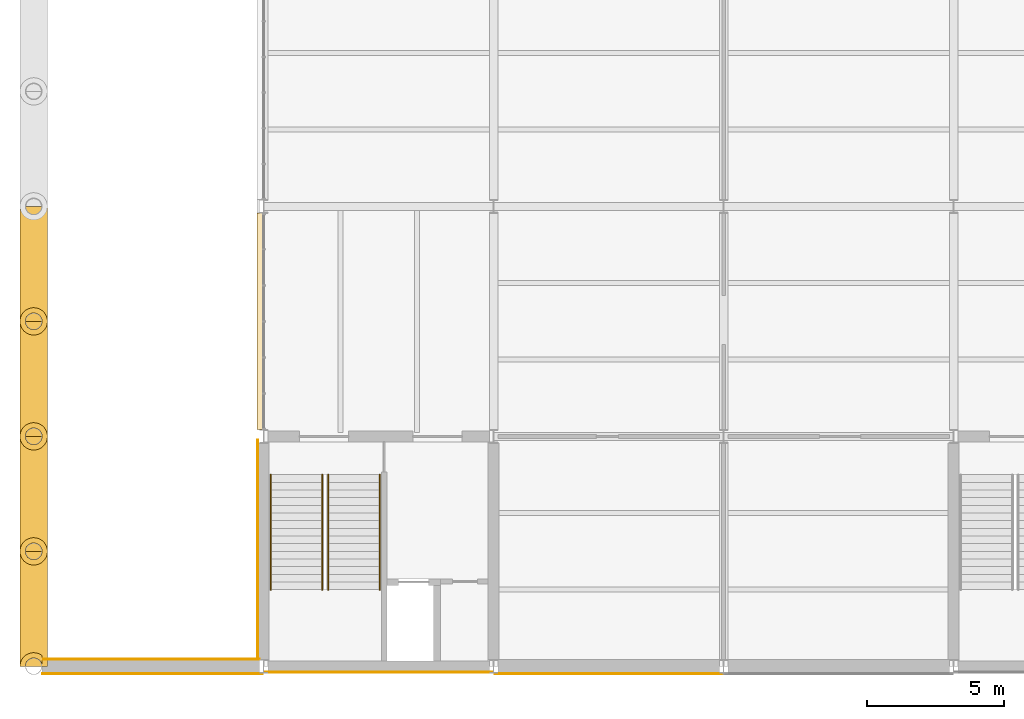
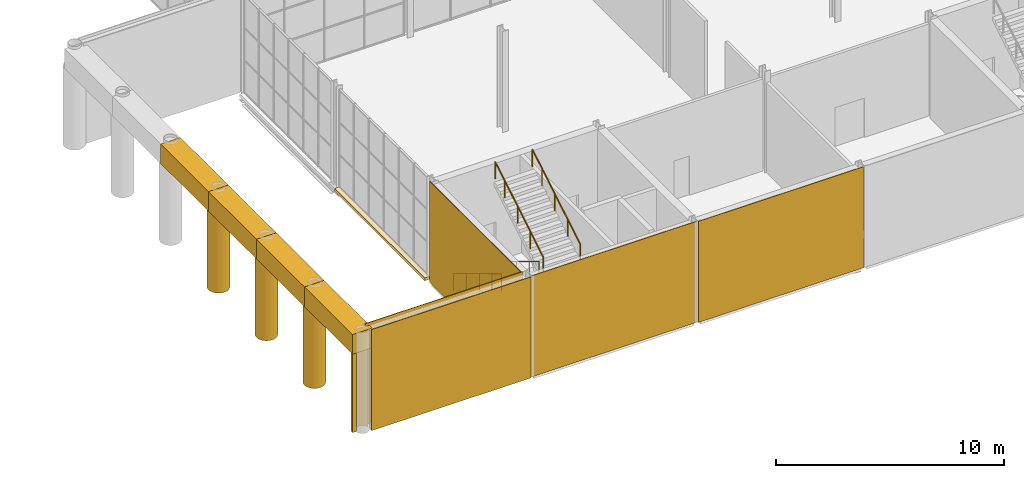
# One storey, part 47 of 64: 14 coverings, 4 railings.
"""IFC4 building model written with IfcOpenShell, lengths in metres."""

from ifc_helpers import new_model, si_unit, direction, frame, origin, origin_2d, place, context, subcontext, project, spatial, polyline, rectangle, circle, outline, extrude, material, layer, layer_set, type_object, element, save


model = new_model("IFC4")

# Units and contexts
model_context = context("Model", 3, precision=1e-05, world=origin(), true_north=direction((0.0, 1.0)))
body_context = subcontext(model_context, "Body", "Model", "MODEL_VIEW")
ifc_project = project(units=[si_unit("LENGTHUNIT", "METRE"), si_unit("AREAUNIT", "SQUARE_METRE"), si_unit("VOLUMEUNIT", "CUBIC_METRE"), si_unit("PLANEANGLEUNIT", "RADIAN"), si_unit("MASSUNIT", "GRAM", prefix="KILO")], contexts=[model_context])

# Site, building, storey
site_placement = place(None, origin())
site = spatial("IfcSite", under=ifc_project, at=site_placement, CompositionType="ELEMENT")
building_placement = place(site_placement, origin())
building = spatial("IfcBuilding", under=site, at=building_placement, Name="Galleria Vessillo Department Store", CompositionType="ELEMENT")
storey_placement = place(building_placement, frame((0.0, 0.0, 6.0)))
storey = spatial("IfcBuildingStorey", under=building, at=storey_placement, Name="L01", CompositionType="ELEMENT", Elevation=6.0)

# Coverings
ifc_material_1 = material(Name="Lime plaster (intonaco) ochre")
ifc_layer_1 = layer(ifc_material_1, 0.030029296875)
ifc_layer_set_1 = layer_set([ifc_layer_1], Name="Lime plaster (intonaco) ochre")
covering_type_1 = type_object("IfcCoveringType", Name="Lime plaster render 30 mm", PredefinedType="CLADDING", material=ifc_layer_set_1)
covering_1_placement = place(storey_placement, frame((4.33740234375, -0.264892578125, 0.0), z_axis=(0.0, 0.0, 1.0), x_axis=(1.0, 0.0, 0.0)))
element("IfcCovering", 1, at=covering_1_placement, inside=storey, type_object=covering_type_1, Name="Wall cladding S-PS-L01-01", PredefinedType="CLADDING", context=body_context, shape_type="SweptSolid", body=[
    extrude(rectangle(XDim=8.065185546875, YDim=0.030029296875, at=origin_2d()), origin(), (0.0, 0.0, 1.0), 5.39990234375),
])
for number, where, z_axis, x_axis, name in (
    (2, (12.599853515625, -0.215087890625, 0.0), (0.0, 0.0, 1.0), (1.0, 0.0, 0.0), "Wall cladding S-CW-PC-SW-PARTY-L01"),
    (3, (21.0, -0.264892578125, 0.0), (0.0, 0.0, 1.0), (1.0, 0.0, 0.0), "Wall cladding S-PS-L01-02"),
):
    element("IfcCovering", number, at=place(storey_placement, frame(where, z_axis=z_axis, x_axis=x_axis)), inside=storey, type_object=covering_type_1, Name=name, PredefinedType="CLADDING", context=body_context, shape_type="SweptSolid", body=[
        extrude(rectangle(XDim=8.340087890625, YDim=0.030029296875, at=origin_2d()), origin(), (0.0, 0.0, 1.0), 5.39990234375),
    ])
ifc_material_2 = material(Name="Botticino limestone ashlar", Category="masonry")
ifc_layer_2 = layer(ifc_material_2, 0.195068359375)
ifc_layer_set_2 = layer_set([ifc_layer_2], Name="Botticino limestone ashlar")
covering_type_2 = type_object("IfcCoveringType", Name="Limestone column drum cladding 1000 mm", PredefinedType="CLADDING", material=ifc_layer_set_2)
covering_2_placement = place(storey_placement, origin())
element("IfcCovering", 4, at=covering_2_placement, inside=storey, type_object=covering_type_2, Name="Column drum cladding L01 y=4.2", PredefinedType="CLADDING", context=body_context, shape_type="SweptSolid", body=[
    extrude(outline(polyline([(0.5, 4.199951171875), (0.49560546875, 4.26513671875), (0.48291015625, 4.329345703125), (0.4619140625, 4.391357421875), (0.43310546875, 4.449951171875), (0.396728515625, 4.50439453125), (0.353515625, 4.553466796875), (0.304443359375, 4.5966796875), (0.25, 4.633056640625), (0.19140625, 4.661865234375), (0.12939453125, 4.682861328125), (0.065185546875, 4.695556640625), (0.0, 4.699951171875), (-0.065185546875, 4.695556640625), (-0.12939453125, 4.682861328125), (-0.19140625, 4.661865234375), (-0.25, 4.633056640625), (-0.304443359375, 4.5966796875), (-0.353515625, 4.553466796875), (-0.396728515625, 4.50439453125), (-0.43310546875, 4.449951171875), (-0.4619140625, 4.391357421875), (-0.48291015625, 4.329345703125), (-0.49560546875, 4.26513671875), (-0.5, 4.199951171875), (-0.49560546875, 4.134765625), (-0.48291015625, 4.070556640625), (-0.4619140625, 4.008544921875), (-0.43310546875, 3.949951171875), (-0.396728515625, 3.8955078125), (-0.353515625, 3.846435546875), (-0.304443359375, 3.80322265625), (-0.25, 3.766845703125), (-0.19140625, 3.738037109375), (-0.12939453125, 3.717041015625), (-0.065185546875, 3.704345703125), (0.0, 3.699951171875), (0.065185546875, 3.704345703125), (0.12939453125, 3.717041015625), (0.19140625, 3.738037109375), (0.25, 3.766845703125), (0.304443359375, 3.80322265625), (0.353515625, 3.846435546875), (0.396728515625, 3.8955078125), (0.43310546875, 3.949951171875), (0.4619140625, 4.008544921875), (0.48291015625, 4.070556640625), (0.49560546875, 4.134765625), (0.5, 4.199951171875)]), holes=[polyline([(0.3056640625, 4.199951171875), (0.302978515625, 4.23974609375), (0.295166015625, 4.279052734375), (0.282470703125, 4.31689453125), (0.2646484375, 4.352783203125), (0.242431640625, 4.385986328125), (0.216064453125, 4.416015625), (0.18603515625, 4.4423828125), (0.15283203125, 4.464599609375), (0.116943359375, 4.482421875), (0.0791015625, 4.4951171875), (0.039794921875, 4.5029296875), (0.0, 4.505615234375), (-0.039794921875, 4.5029296875), (-0.0791015625, 4.4951171875), (-0.116943359375, 4.482421875), (-0.15283203125, 4.464599609375), (-0.18603515625, 4.4423828125), (-0.216064453125, 4.416015625), (-0.242431640625, 4.385986328125), (-0.2646484375, 4.352783203125), (-0.282470703125, 4.31689453125), (-0.295166015625, 4.279052734375), (-0.302978515625, 4.23974609375), (-0.3056640625, 4.199951171875), (-0.302978515625, 4.16015625), (-0.295166015625, 4.120849609375), (-0.282470703125, 4.0830078125), (-0.2646484375, 4.047119140625), (-0.242431640625, 4.013916015625), (-0.216064453125, 3.98388671875), (-0.18603515625, 3.95751953125), (-0.15283203125, 3.935302734375), (-0.116943359375, 3.91748046875), (-0.0791015625, 3.90478515625), (-0.039794921875, 3.89697265625), (0.0, 3.894287109375), (0.039794921875, 3.89697265625), (0.0791015625, 3.90478515625), (0.116943359375, 3.91748046875), (0.15283203125, 3.935302734375), (0.18603515625, 3.95751953125), (0.216064453125, 3.98388671875), (0.242431640625, 4.013916015625), (0.2646484375, 4.047119140625), (0.282470703125, 4.0830078125), (0.295166015625, 4.120849609375), (0.302978515625, 4.16015625), (0.3056640625, 4.199951171875)])]), origin(), (0.0, 0.0, 1.0), 4.199951171875),
])
covering_3_placement = place(storey_placement, origin())
element("IfcCovering", 5, at=covering_3_placement, inside=storey, type_object=covering_type_2, Name="Column drum cladding L01 y=8.4", PredefinedType="CLADDING", context=body_context, shape_type="SweptSolid", body=[
    extrude(outline(polyline([(0.5, 8.39990234375), (0.49560546875, 8.465087890625), (0.48291015625, 8.529296875), (0.4619140625, 8.59130859375), (0.43310546875, 8.64990234375), (0.396728515625, 8.704345703125), (0.353515625, 8.75341796875), (0.304443359375, 8.796630859375), (0.25, 8.8330078125), (0.19140625, 8.86181640625), (0.12939453125, 8.8828125), (0.065185546875, 8.8955078125), (0.0, 8.89990234375), (-0.065185546875, 8.8955078125), (-0.12939453125, 8.8828125), (-0.19140625, 8.86181640625), (-0.25, 8.8330078125), (-0.304443359375, 8.796630859375), (-0.353515625, 8.75341796875), (-0.396728515625, 8.704345703125), (-0.43310546875, 8.64990234375), (-0.4619140625, 8.59130859375), (-0.48291015625, 8.529296875), (-0.49560546875, 8.465087890625), (-0.5, 8.39990234375), (-0.49560546875, 8.334716796875), (-0.48291015625, 8.2705078125), (-0.4619140625, 8.20849609375), (-0.43310546875, 8.14990234375), (-0.396728515625, 8.095458984375), (-0.353515625, 8.04638671875), (-0.304443359375, 8.003173828125), (-0.25, 7.966796875), (-0.19140625, 7.93798828125), (-0.12939453125, 7.9169921875), (-0.065185546875, 7.904296875), (0.0, 7.89990234375), (0.065185546875, 7.904296875), (0.12939453125, 7.9169921875), (0.19140625, 7.93798828125), (0.25, 7.966796875), (0.304443359375, 8.003173828125), (0.353515625, 8.04638671875), (0.396728515625, 8.095458984375), (0.43310546875, 8.14990234375), (0.4619140625, 8.20849609375), (0.48291015625, 8.2705078125), (0.49560546875, 8.334716796875), (0.5, 8.39990234375)]), holes=[polyline([(0.3056640625, 8.39990234375), (0.302978515625, 8.439697265625), (0.295166015625, 8.47900390625), (0.282470703125, 8.516845703125), (0.2646484375, 8.552734375), (0.242431640625, 8.5859375), (0.216064453125, 8.615966796875), (0.18603515625, 8.642333984375), (0.15283203125, 8.66455078125), (0.116943359375, 8.682373046875), (0.0791015625, 8.695068359375), (0.039794921875, 8.702880859375), (0.0, 8.70556640625), (-0.039794921875, 8.702880859375), (-0.0791015625, 8.695068359375), (-0.116943359375, 8.682373046875), (-0.15283203125, 8.66455078125), (-0.18603515625, 8.642333984375), (-0.216064453125, 8.615966796875), (-0.242431640625, 8.5859375), (-0.2646484375, 8.552734375), (-0.282470703125, 8.516845703125), (-0.295166015625, 8.47900390625), (-0.302978515625, 8.439697265625), (-0.3056640625, 8.39990234375), (-0.302978515625, 8.360107421875), (-0.295166015625, 8.32080078125), (-0.282470703125, 8.282958984375), (-0.2646484375, 8.2470703125), (-0.242431640625, 8.2138671875), (-0.216064453125, 8.183837890625), (-0.18603515625, 8.157470703125), (-0.15283203125, 8.13525390625), (-0.116943359375, 8.117431640625), (-0.0791015625, 8.104736328125), (-0.039794921875, 8.096923828125), (0.0, 8.09423828125), (0.039794921875, 8.096923828125), (0.0791015625, 8.104736328125), (0.116943359375, 8.117431640625), (0.15283203125, 8.13525390625), (0.18603515625, 8.157470703125), (0.216064453125, 8.183837890625), (0.242431640625, 8.2138671875), (0.2646484375, 8.2470703125), (0.282470703125, 8.282958984375), (0.295166015625, 8.32080078125), (0.302978515625, 8.360107421875), (0.3056640625, 8.39990234375)])]), origin(), (0.0, 0.0, 1.0), 4.199951171875),
])
covering_4_placement = place(storey_placement, origin())
element("IfcCovering", 6, at=covering_4_placement, inside=storey, type_object=covering_type_2, Name="Column drum cladding L01 y=12.6", PredefinedType="CLADDING", context=body_context, shape_type="SweptSolid", body=[
    extrude(outline(polyline([(0.5, 12.60009765625), (0.49560546875, 12.665283203125), (0.48291015625, 12.7294921875), (0.4619140625, 12.79150390625), (0.43310546875, 12.85009765625), (0.396728515625, 12.904541015625), (0.353515625, 12.95361328125), (0.304443359375, 12.996826171875), (0.25, 13.033203125), (0.19140625, 13.06201171875), (0.12939453125, 13.0830078125), (0.065185546875, 13.095703125), (0.0, 13.10009765625), (-0.065185546875, 13.095703125), (-0.12939453125, 13.0830078125), (-0.19140625, 13.06201171875), (-0.25, 13.033203125), (-0.304443359375, 12.996826171875), (-0.353515625, 12.95361328125), (-0.396728515625, 12.904541015625), (-0.43310546875, 12.85009765625), (-0.4619140625, 12.79150390625), (-0.48291015625, 12.7294921875), (-0.49560546875, 12.665283203125), (-0.5, 12.60009765625), (-0.49560546875, 12.534912109375), (-0.48291015625, 12.470703125), (-0.4619140625, 12.40869140625), (-0.43310546875, 12.35009765625), (-0.396728515625, 12.295654296875), (-0.353515625, 12.24658203125), (-0.304443359375, 12.203369140625), (-0.25, 12.1669921875), (-0.19140625, 12.13818359375), (-0.12939453125, 12.1171875), (-0.065185546875, 12.1044921875), (0.0, 12.10009765625), (0.065185546875, 12.1044921875), (0.12939453125, 12.1171875), (0.19140625, 12.13818359375), (0.25, 12.1669921875), (0.304443359375, 12.203369140625), (0.353515625, 12.24658203125), (0.396728515625, 12.295654296875), (0.43310546875, 12.35009765625), (0.4619140625, 12.40869140625), (0.48291015625, 12.470703125), (0.49560546875, 12.534912109375), (0.5, 12.60009765625)]), holes=[polyline([(0.3056640625, 12.60009765625), (0.302978515625, 12.639892578125), (0.295166015625, 12.67919921875), (0.282470703125, 12.717041015625), (0.2646484375, 12.7529296875), (0.242431640625, 12.7861328125), (0.216064453125, 12.816162109375), (0.18603515625, 12.842529296875), (0.15283203125, 12.86474609375), (0.116943359375, 12.882568359375), (0.0791015625, 12.895263671875), (0.039794921875, 12.903076171875), (0.0, 12.90576171875), (-0.039794921875, 12.903076171875), (-0.0791015625, 12.895263671875), (-0.116943359375, 12.882568359375), (-0.15283203125, 12.86474609375), (-0.18603515625, 12.842529296875), (-0.216064453125, 12.816162109375), (-0.242431640625, 12.7861328125), (-0.2646484375, 12.7529296875), (-0.282470703125, 12.717041015625), (-0.295166015625, 12.67919921875), (-0.302978515625, 12.639892578125), (-0.3056640625, 12.60009765625), (-0.302978515625, 12.560302734375), (-0.295166015625, 12.52099609375), (-0.282470703125, 12.483154296875), (-0.2646484375, 12.447265625), (-0.242431640625, 12.4140625), (-0.216064453125, 12.384033203125), (-0.18603515625, 12.357666015625), (-0.15283203125, 12.33544921875), (-0.116943359375, 12.317626953125), (-0.0791015625, 12.304931640625), (-0.039794921875, 12.297119140625), (0.0, 12.29443359375), (0.039794921875, 12.297119140625), (0.0791015625, 12.304931640625), (0.116943359375, 12.317626953125), (0.15283203125, 12.33544921875), (0.18603515625, 12.357666015625), (0.216064453125, 12.384033203125), (0.242431640625, 12.4140625), (0.2646484375, 12.447265625), (0.282470703125, 12.483154296875), (0.295166015625, 12.52099609375), (0.302978515625, 12.560302734375), (0.3056640625, 12.60009765625)])]), origin(), (0.0, 0.0, 1.0), 4.199951171875),
])
covering_5_placement = place(storey_placement, origin())
element("IfcCovering", 7, at=covering_5_placement, inside=storey, type_object=covering_type_2, Name="Corner column drum cladding L01 y=0", PredefinedType="CLADDING", context=body_context, shape_type="SweptSolid", body=[
    extrude(outline(polyline([(-0.49560546875, 0.065185546875), (-0.48291015625, 0.12939453125), (-0.4619140625, 0.19140625), (-0.43310546875, 0.25), (-0.396728515625, 0.304443359375), (-0.353515625, 0.353515625), (-0.304443359375, 0.396728515625), (-0.25, 0.43310546875), (-0.19140625, 0.4619140625), (-0.12939453125, 0.48291015625), (-0.065185546875, 0.49560546875), (0.0, 0.5), (0.065185546875, 0.49560546875), (0.12939453125, 0.48291015625), (0.19140625, 0.4619140625), (0.25, 0.43310546875), (0.304443359375, 0.396728515625), (0.304931640625, 0.39599609375), (0.304931640625, 0.010009765625), (0.302978515625, 0.039794921875), (0.295166015625, 0.0791015625), (0.282470703125, 0.116943359375), (0.2646484375, 0.15283203125), (0.242431640625, 0.18603515625), (0.216064453125, 0.216064453125), (0.18603515625, 0.242431640625), (0.15283203125, 0.2646484375), (0.116943359375, 0.282470703125), (0.0791015625, 0.295166015625), (0.039794921875, 0.302978515625), (0.0, 0.3056640625), (-0.039794921875, 0.302978515625), (-0.0791015625, 0.295166015625), (-0.116943359375, 0.282470703125), (-0.15283203125, 0.2646484375), (-0.18603515625, 0.242431640625), (-0.216064453125, 0.216064453125), (-0.242431640625, 0.18603515625), (-0.2646484375, 0.15283203125), (-0.282470703125, 0.116943359375), (-0.295166015625, 0.0791015625), (-0.302978515625, 0.039794921875), (-0.3056640625, 0.0), (-0.3056640625, 0.0), (-0.5, 0.0), (-0.5, 0.0), (-0.49560546875, 0.065185546875)])), origin(), (0.0, 0.0, 1.0), 4.199951171875),
])
ifc_material_3 = material(Name="Botticino limestone ashlar", Category="masonry")
ifc_layer_3 = layer(ifc_material_3, 1.0)
ifc_layer_set_3 = layer_set([ifc_layer_3], Name="Botticino limestone ashlar")
covering_type_3 = type_object("IfcCoveringType", Name="Limestone entablature 1000 x 1050", PredefinedType="MOLDING", material=ifc_layer_set_3)
for number, where, z_axis, x_axis, name in (
    (8, (0.0, 2.10009765625, 4.2001953125), (0.0, 0.0, 1.0), (1.0, 0.0, 0.0), "Colonnade entablature y=0.0-4.2"),
    (9, (0.0, 6.300048828125, 4.2001953125), (0.0, 0.0, 1.0), (1.0, 0.0, 0.0), "Colonnade entablature y=4.2-8.4"),
):
    element("IfcCovering", number, at=place(storey_placement, frame(where, z_axis=z_axis, x_axis=x_axis)), inside=storey, type_object=covering_type_3, Name=name, PredefinedType="MOLDING", context=body_context, shape_type="SweptSolid", body=[
        extrude(rectangle(XDim=1.0, YDim=4.199951171875, at=origin_2d()), origin(), (0.0, 0.0, 1.0), 1.050048828125),
    ])
covering_6_placement = place(storey_placement, frame((0.0, 10.5, 4.2001953125), z_axis=(0.0, 0.0, 1.0), x_axis=(1.0, 0.0, 0.0)))
element("IfcCovering", 10, at=covering_6_placement, inside=storey, type_object=covering_type_3, Name="Colonnade entablature y=8.4-12.6", PredefinedType="MOLDING", context=body_context, shape_type="SweptSolid", body=[
    extrude(rectangle(XDim=1.0, YDim=4.2001953125, at=origin_2d()), origin(), (0.0, 0.0, 1.0), 1.050048828125),
])
covering_7_placement = place(storey_placement, frame((0.0, 14.699951171875, 4.2001953125), z_axis=(0.0, 0.0, 1.0), x_axis=(1.0, 0.0, 0.0)))
element("IfcCovering", 11, at=covering_7_placement, inside=storey, type_object=covering_type_3, Name="Colonnade entablature y=12.6-16.8", PredefinedType="MOLDING", context=body_context, shape_type="SweptSolid", body=[
    extrude(rectangle(XDim=1.0, YDim=4.199951171875, at=origin_2d()), origin(), (0.0, 0.0, 1.0), 1.050048828125),
])
ifc_material_4 = material(Name="Botticino limestone ashlar", Category="masonry")
ifc_layer_4 = layer(ifc_material_4, 0.14990234375)
ifc_layer_set_4 = layer_set([ifc_layer_4], Name="Botticino limestone ashlar")
covering_type_4 = type_object("IfcCoveringType", Name="Limestone slab-edge fascia 150 mm", PredefinedType="CLADDING", material=ifc_layer_set_4)
covering_8_placement = place(storey_placement, frame((8.27490234375, 12.60009765625, -0.14990234375), z_axis=(0.0, 0.0, 1.0), x_axis=(1.0, 0.0, 0.0)))
element("IfcCovering", 12, at=covering_8_placement, inside=storey, type_object=covering_type_4, Name="Slab-edge fascia LB-L00-01", PredefinedType="CLADDING", context=body_context, shape_type="SweptSolid", body=[
    extrude(rectangle(XDim=0.25, YDim=7.900146484375, at=origin_2d()), origin(), (0.0, 0.0, 1.0), 0.14990234375),
])
ifc_material_5 = material(Name="Botticino limestone ashlar", Category="masonry")
ifc_layer_5 = layer(ifc_material_5, 0.030029296875)
ifc_layer_set_5 = layer_set([ifc_layer_5], Name="Botticino limestone ashlar")
covering_type_5 = type_object("IfcCoveringType", Name="Limestone wall cladding 30 mm", PredefinedType="CLADDING", material=ifc_layer_set_5)
covering_9_placement = place(storey_placement, frame((8.184814453125, 4.260009765625, 0.0), z_axis=(0.0, 0.0, 1.0), x_axis=(1.0, 0.0, 0.0)))
element("IfcCovering", 13, at=covering_9_placement, inside=storey, type_object=covering_type_5, Name="Wall cladding S-CW-PC-SW-WEST-L01", PredefinedType="CLADDING", context=body_context, shape_type="SweptSolid", body=[
    extrude(rectangle(XDim=0.030029296875, YDim=8.02001953125, at=origin_2d()), origin(), (0.0, 0.0, 1.0), 5.39990234375),
])
covering_10_placement = place(storey_placement, frame((4.27734375, 0.264892578125, 0.0), z_axis=(0.0, 0.0, 1.0), x_axis=(1.0, 0.0, 0.0)))
element("IfcCovering", 14, at=covering_10_placement, inside=storey, type_object=covering_type_5, Name="Loggia end bay cladding S-PS-L01-01", PredefinedType="CLADDING", context=body_context, shape_type="SweptSolid", body=[
    extrude(rectangle(XDim=7.945068359375, YDim=0.030029296875, at=origin_2d()), origin(), (0.0, 0.0, 1.0), 5.39990234375),
])

# Railings
ifc_material_6 = material(Name="Stainless steel tube", Category="steel")
railing_type = type_object("IfcRailingType", Name="Stair handrail steel tube 48 mm", PredefinedType="HANDRAIL", material=ifc_material_6)
for number, where, name in (
    (15, (10.5400390625, 7.0, 0.168701171875), "Handrail ST1 L01 flight 1A"),
    (16, (8.66015625, 7.0, 0.168701171875), "Handrail ST1 L01 flight 1B"),
):
    element("IfcRailing", number, at=place(storey_placement, frame(where)), inside=storey, type_object=railing_type, Name=name, PredefinedType="HANDRAIL", context=body_context, shape_type="SweptSolid", body=[
        extrude(circle(Radius=0.02392578125, at=origin_2d()), frame((0.0, 0.0, 0.89599609375), z_axis=(0.0, -0.856486514401, 0.516169401116), x_axis=(1.0, 0.0, 0.0)), (0.0, 0.0, 1.0), 1.307861328125),
        extrude(circle(Radius=0.02392578125, at=origin_2d()), frame((0.0, -1.1201171875, 1.57080078125), z_axis=(0.0, -0.856436765236, 0.516251941548), x_axis=(1.0, 0.0, 0.0)), (0.0, 0.0, 1.0), 1.3076171875),
        extrude(circle(Radius=0.02392578125, at=origin_2d()), frame((0.0, -2.239990234375, 2.24609375), z_axis=(0.0, -0.856486514401, 0.516169401116), x_axis=(1.0, 0.0, 0.0)), (0.0, 0.0, 1.0), 1.307861328125),
        extrude(circle(Radius=0.02392578125, at=origin_2d()), frame((0.0, -3.360107421875, 2.9208984375), z_axis=(0.0, -0.856502732318, 0.516142489563), x_axis=(1.0, 0.0, 0.0)), (0.0, 0.0, 1.0), 0.98046875),
        extrude(circle(Radius=0.02099609375, at=origin_2d()), origin(), (0.0, 0.0, 1.0), 0.871826171875),
        extrude(circle(Radius=0.02099609375, at=origin_2d()), frame((0.0, -1.1201171875, 0.675048828125)), (0.0, 0.0, 1.0), 0.871826171875),
        extrude(circle(Radius=0.02099609375, at=origin_2d()), frame((0.0, -2.239990234375, 1.35009765625)), (0.0, 0.0, 1.0), 0.871826171875),
        extrude(circle(Radius=0.02099609375, at=origin_2d()), frame((0.0, -3.360107421875, 2.025146484375)), (0.0, 0.0, 1.0), 0.871826171875),
        extrude(circle(Radius=0.02099609375, at=origin_2d()), frame((0.0, -4.199951171875, 2.53125)), (0.0, 0.0, 1.0), 0.871826171875),
    ])
for number, where, name in (
    (17, (10.760009765625, 2.800048828125, 2.86865234375), "Handrail ST1 L01 flight 2A"),
    (18, (12.639892578125, 2.800048828125, 2.86865234375), "Handrail ST1 L01 flight 2B"),
):
    element("IfcRailing", number, at=place(storey_placement, frame(where)), inside=storey, type_object=railing_type, Name=name, PredefinedType="HANDRAIL", context=body_context, shape_type="SweptSolid", body=[
        extrude(circle(Radius=0.02392578125, at=origin_2d()), frame((0.0, 0.0, 0.89599609375), z_axis=(0.0, 0.856486514401, 0.516169401116), x_axis=(-1.0, 0.0, 0.0)), (0.0, 0.0, 1.0), 1.307861328125),
        extrude(circle(Radius=0.02392578125, at=origin_2d()), frame((0.0, 1.1201171875, 1.57080078125), z_axis=(0.0, 0.856436765236, 0.516251941548), x_axis=(-1.0, 0.0, 0.0)), (0.0, 0.0, 1.0), 1.3076171875),
        extrude(circle(Radius=0.02392578125, at=origin_2d()), frame((0.0, 2.239990234375, 2.24609375), z_axis=(0.0, 0.856486514401, 0.516169401116), x_axis=(-1.0, 0.0, 0.0)), (0.0, 0.0, 1.0), 1.307861328125),
        extrude(circle(Radius=0.02392578125, at=origin_2d()), frame((0.0, 3.360107421875, 2.9208984375), z_axis=(0.0, 0.856502732318, 0.516142489563), x_axis=(-1.0, 0.0, 0.0)), (0.0, 0.0, 1.0), 0.98046875),
        extrude(circle(Radius=0.02099609375, at=origin_2d()), origin(), (0.0, 0.0, 1.0), 0.871826171875),
        extrude(circle(Radius=0.02099609375, at=origin_2d()), frame((0.0, 1.1201171875, 0.675048828125)), (0.0, 0.0, 1.0), 0.871826171875),
        extrude(circle(Radius=0.02099609375, at=origin_2d()), frame((0.0, 2.239990234375, 1.35009765625)), (0.0, 0.0, 1.0), 0.871826171875),
        extrude(circle(Radius=0.02099609375, at=origin_2d()), frame((0.0, 3.360107421875, 2.025146484375)), (0.0, 0.0, 1.0), 0.871826171875),
        extrude(circle(Radius=0.02099609375, at=origin_2d()), frame((0.0, 4.199951171875, 2.53125)), (0.0, 0.0, 1.0), 0.871826171875),
    ])

save(model, "model.ifc")
